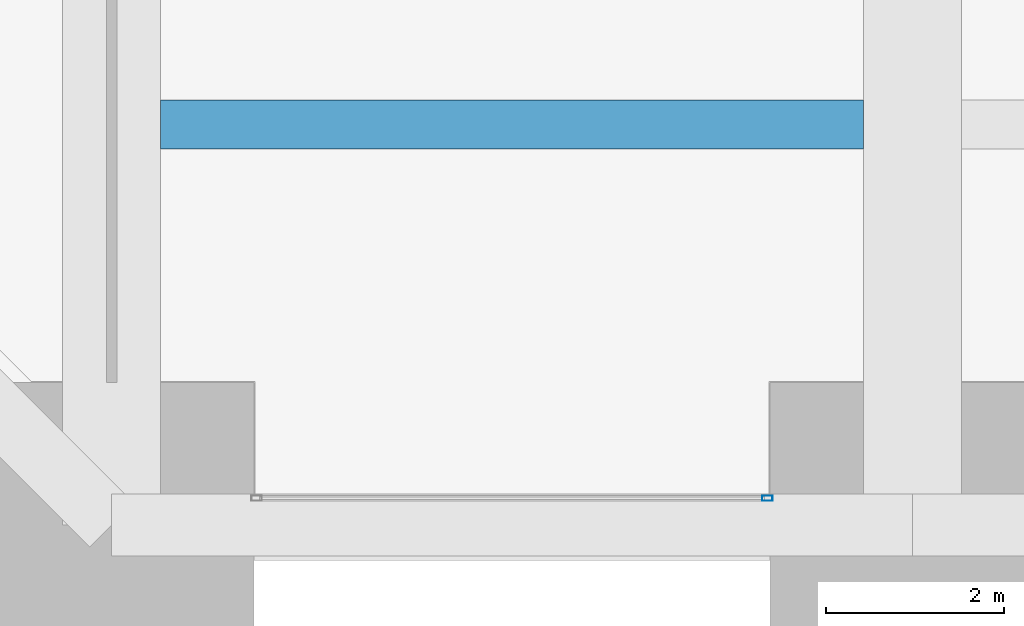
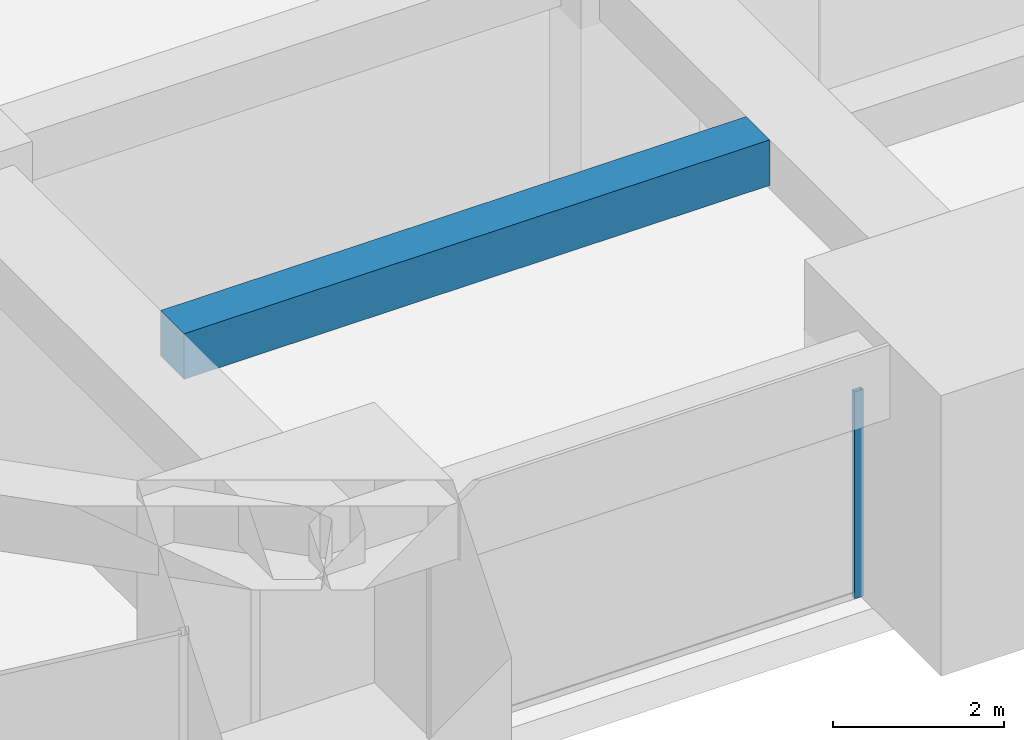
# One storey, part 7 of 40: 1 beam, 1 member, 1 element without a shape of its own.
"""IFC4 building model written with IfcOpenShell, lengths in metres."""

from ifc_helpers import new_model, si_unit, direction, frame, origin, origin_2d, place, context, subcontext, project, spatial, rectangle, hollow_rectangle, extrude, material, material_profile, profile_set, type_object, element, aggregate, save


model = new_model("IFC4")

# Units and contexts
model_context = context("Model", 3, precision=1e-05, world=origin(), true_north=direction((0.0, 1.0)))
body_context = subcontext(model_context, "Body", "Model", "MODEL_VIEW")
ifc_project = project(units=[si_unit("LENGTHUNIT", "METRE"), si_unit("AREAUNIT", "SQUARE_METRE"), si_unit("VOLUMEUNIT", "CUBIC_METRE"), si_unit("PLANEANGLEUNIT", "RADIAN"), si_unit("MASSUNIT", "GRAM", prefix="KILO")], contexts=[model_context])

# Site, building, storey
site_placement = place(None, origin())
site = spatial("IfcSite", under=ifc_project, at=site_placement, CompositionType="ELEMENT")
building_placement = place(site_placement, origin())
building = spatial("IfcBuilding", under=site, at=building_placement, Name="Zorevar Civic Tower", CompositionType="ELEMENT")
storey_placement = place(building_placement, frame((0.0, 0.0, 239.39990234375)))
storey = spatial("IfcBuildingStorey", under=building, at=storey_placement, Name="L58", CompositionType="ELEMENT", Elevation=239.39990234375)

# Beam
ifc_material_1 = material(Name="Concrete C50/60", Category="concrete")
ifc_material_profile_1 = material_profile(ifc_material_1, rectangle(XDim=0.550048828125, YDim=0.64990234375, at=origin_2d()), Name="RC 550x650")
ifc_profile_set_1 = profile_set([ifc_material_profile_1], Name="Concrete C50/60")
beam_type = type_object("IfcBeamType", Name="Beam RC 550x650", PredefinedType="BEAM", material=ifc_profile_set_1)
beam_placement = place(storey_placement, frame((18.550048828125, 4.5, 3.425048828125), z_axis=(1.0, 0.0, 0.0), x_axis=(0.0, 1.0, 0.0)))
element("IfcBeam", 1, at=beam_placement, inside=storey, type_object=beam_type, Name="Secondary beam L59", PredefinedType="BEAM", context=body_context, shape_type="SweptSolid", body=[
    extrude(rectangle(XDim=0.550048828125, YDim=0.64990234375, at=origin_2d()), origin(), (0.0, 0.0, 1.0), 7.89990234375),
])

# Curtain wall, member
ifc_material_2 = material(Name="Dark grey solar-control glass in black aluminium frame", Category="aluminium")
curtain_wall_type = type_object("IfcCurtainWallType", Name="Curtain wall CW5 top zone", PredefinedType="NOTDEFINED", material=ifc_material_2)
curtain_wall_placement = place(storey_placement, origin())
curtain_wall = element("IfcCurtainWall", 2, at=curtain_wall_placement, inside=storey, type_object=curtain_wall_type, Name="CW5 L58", PredefinedType="NOTDEFINED")
ifc_material_3 = material(Name="Aluminium, black anodised", Category="aluminium")
ifc_material_profile_2 = material_profile(ifc_material_3, hollow_rectangle(XDim=0.06005859375, YDim=0.1201171875, WallThickness=0.0029296875, at=origin_2d()), Name="AL 120x60x3")
ifc_profile_set_2 = profile_set([ifc_material_profile_2], Name="Aluminium, black anodised")
member_type = type_object("IfcMemberType", Name="CW5 mullion AL 120x60x3", PredefinedType="MULLION", material=ifc_profile_set_2)
member_placement = place(storey_placement, frame((25.3701171875, 0.300048828125, 0.0), z_axis=(0.0, 0.0, 1.0), x_axis=(0.0, 1.0, 0.0)))
member = element("IfcMember", 3, at=member_placement, type_object=member_type, Name="CW5 mullion 2", PredefinedType="MULLION", context=body_context, shape_type="SweptSolid", body=[
    extrude(hollow_rectangle(XDim=0.06005859375, YDim=0.1201171875, WallThickness=0.0029296875, at=origin_2d()), origin(), (0.0, 0.0, 1.0), 2.9501953125),
])
aggregate(curtain_wall, [member])

save(model, "model.ifc")
